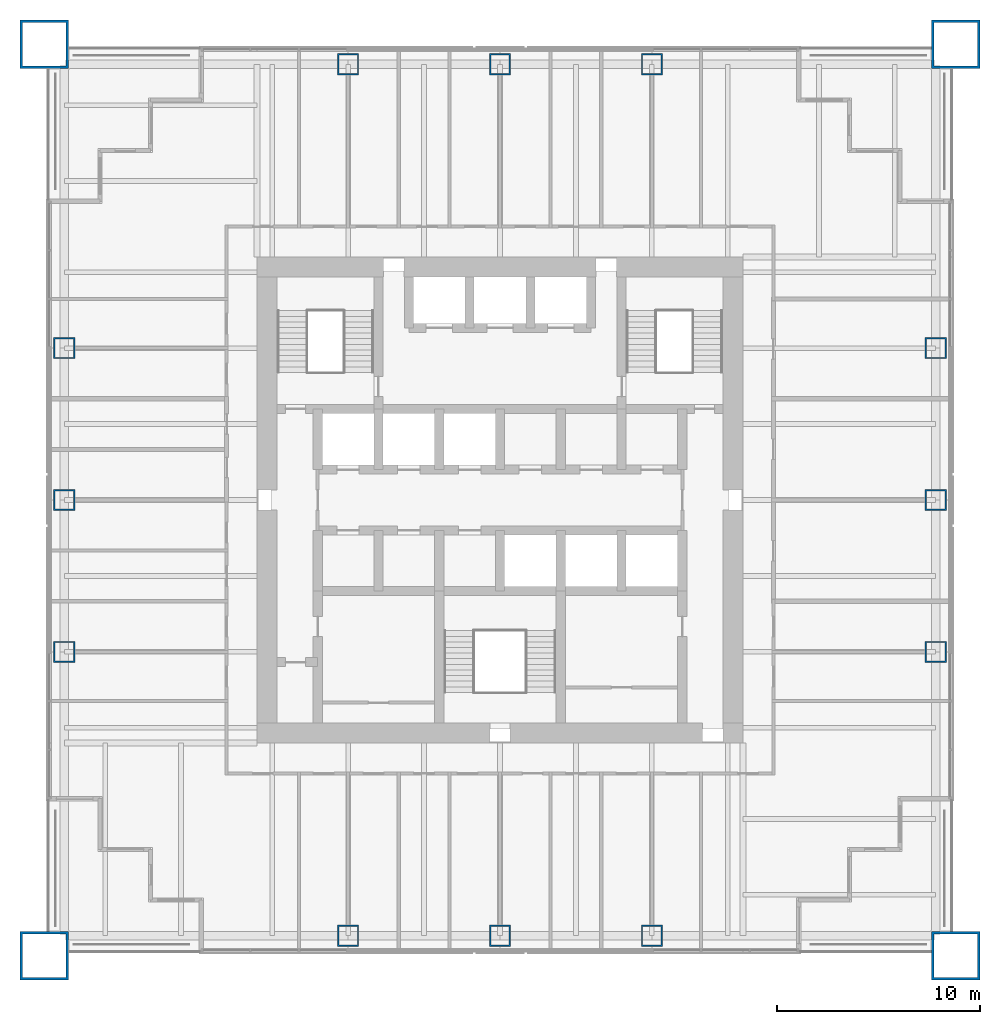
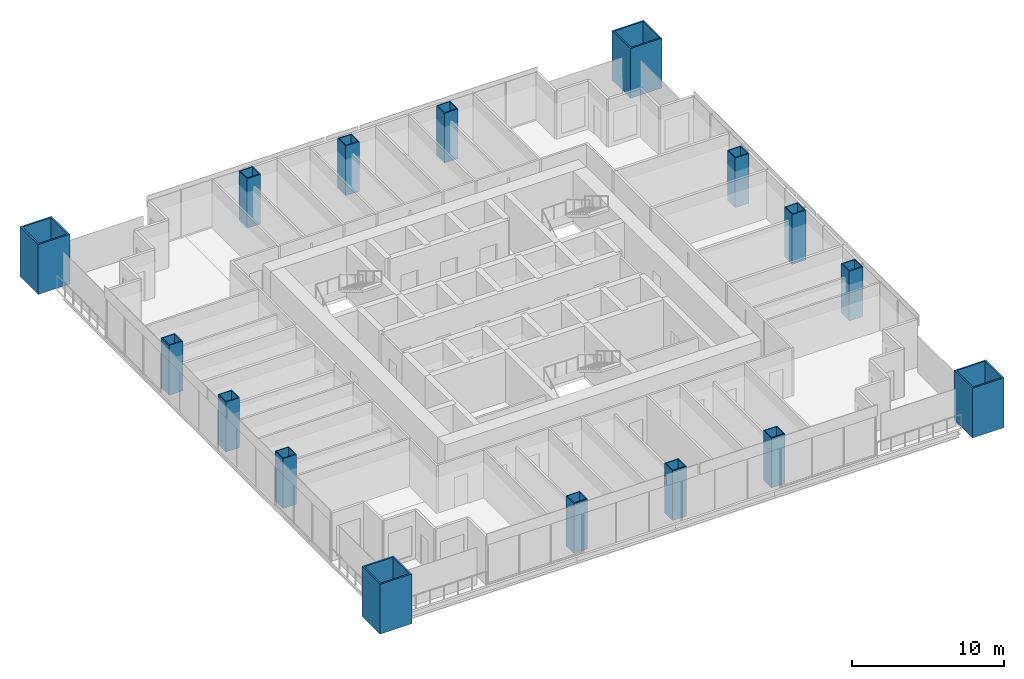
# One storey, part 1 of 14: 16 columns.
"""IFC4 building model written with IfcOpenShell, lengths in metres."""

from ifc_helpers import new_model, si_unit, direction, frame, origin, origin_2d, place, context, subcontext, project, spatial, hollow_rectangle, extrude, material, material_profile, profile_set, type_object, element, save


model = new_model("IFC4")

# Units and contexts
model_context = context("Model", 3, precision=1e-05, world=origin(), true_north=direction((0.0, 1.0)))
body_context = subcontext(model_context, "Body", "Model", "MODEL_VIEW")
ifc_project = project(units=[si_unit("LENGTHUNIT", "METRE"), si_unit("AREAUNIT", "SQUARE_METRE"), si_unit("VOLUMEUNIT", "CUBIC_METRE"), si_unit("PLANEANGLEUNIT", "RADIAN"), si_unit("MASSUNIT", "GRAM", prefix="KILO")], contexts=[model_context])

# Site, building, storey
site_placement = place(None, origin())
site = spatial("IfcSite", under=ifc_project, at=site_placement, CompositionType="ELEMENT")
building_placement = place(site_placement, origin())
building = spatial("IfcBuilding", under=site, at=building_placement, Name="Tarangal Relay Tower", CompositionType="ELEMENT")
storey_placement = place(building_placement, frame((0.0, 0.0, 229.89990234375)))
storey = spatial("IfcBuildingStorey", under=building, at=storey_placement, Name="L49", CompositionType="ELEMENT", Elevation=229.89990234375)

# Columns
ifc_material_1 = material(Name="Steel ASTM A572 Grade 42", Category="steel")
ifc_material_profile_1 = material_profile(ifc_material_1, hollow_rectangle(XDim=2.39990234375, YDim=2.39990234375, WallThickness=0.1201171875, at=origin_2d()), Name="BOX2400X2400X120")
ifc_profile_set_1 = profile_set([ifc_material_profile_1], Name="Steel ASTM A572 Grade 42")
column_type_1 = type_object("IfcColumnType", Name="Mega column BOX2400X2400X120", PredefinedType="COLUMN", material=ifc_profile_set_1)
for number, where, z_axis, x_axis, name in (
    (1, (22.5, 22.5, 0.0), (0.0, 0.0, 1.0), (1.0, 0.0, 0.0), "Mega column MC3 NE L49"),
    (2, (22.5, -22.5, 0.0), (0.0, 0.0, 1.0), (1.0, 0.0, 0.0), "Mega column MC3 SE L49"),
    (3, (-22.5, -22.5, 0.0), (0.0, 0.0, 1.0), (1.0, 0.0, 0.0), "Mega column MC3 SW L49"),
    (4, (-22.5, 22.5, 0.0), (0.0, 0.0, 1.0), (1.0, 0.0, 0.0), "Mega column MC3 NW L49"),
):
    element("IfcColumn", number, at=place(storey_placement, frame(where, z_axis=z_axis, x_axis=x_axis)), inside=storey, type_object=column_type_1, Name=name, PredefinedType="COLUMN", context=body_context, shape_type="SweptSolid", body=[
        extrude(hollow_rectangle(XDim=2.39990234375, YDim=2.39990234375, WallThickness=0.1201171875, at=origin_2d()), origin(), (0.0, 0.0, 1.0), 4.0),
    ])
ifc_material_2 = material(Name="Steel ASTM A572 Grade 50", Category="steel")
ifc_material_profile_2 = material_profile(ifc_material_2, hollow_rectangle(XDim=1.050048828125, YDim=1.050048828125, WallThickness=0.070068359375, at=origin_2d()), Name="BOX1050X1050X70")
ifc_profile_set_2 = profile_set([ifc_material_profile_2], Name="Steel ASTM A572 Grade 50")
column_type_2 = type_object("IfcColumnType", Name="Perimeter column BOX1050X1050X70", PredefinedType="COLUMN", material=ifc_profile_set_2)
for number, where, z_axis, x_axis, name in (
    (5, (-7.5, 21.514892578125, 0.0), (0.0, 0.0, 1.0), (1.0, 0.0, 0.0), "Perimeter column PC4 N L49"),
    (6, (0.0, 21.514892578125, 0.0), (0.0, 0.0, 1.0), (1.0, 0.0, 0.0), "Perimeter column PC4 N L49"),
    (7, (7.5, 21.514892578125, 0.0), (0.0, 0.0, 1.0), (1.0, 0.0, 0.0), "Perimeter column PC4 N L49"),
    (8, (21.514892578125, 7.5, 0.0), (0.0, 0.0, 1.0), (1.0, 0.0, 0.0), "Perimeter column PC4 E L49"),
    (9, (21.514892578125, 0.0, 0.0), (0.0, 0.0, 1.0), (1.0, 0.0, 0.0), "Perimeter column PC4 E L49"),
    (10, (21.514892578125, -7.5, 0.0), (0.0, 0.0, 1.0), (1.0, 0.0, 0.0), "Perimeter column PC4 E L49"),
    (11, (7.5, -21.514892578125, 0.0), (0.0, 0.0, 1.0), (1.0, 0.0, 0.0), "Perimeter column PC4 S L49"),
    (12, (0.0, -21.514892578125, 0.0), (0.0, 0.0, 1.0), (1.0, 0.0, 0.0), "Perimeter column PC4 S L49"),
    (13, (-7.5, -21.514892578125, 0.0), (0.0, 0.0, 1.0), (1.0, 0.0, 0.0), "Perimeter column PC4 S L49"),
    (14, (-21.514892578125, -7.5, 0.0), (0.0, 0.0, 1.0), (1.0, 0.0, 0.0), "Perimeter column PC4 W L49"),
    (15, (-21.514892578125, 0.0, 0.0), (0.0, 0.0, 1.0), (1.0, 0.0, 0.0), "Perimeter column PC4 W L49"),
    (16, (-21.514892578125, 7.5, 0.0), (0.0, 0.0, 1.0), (1.0, 0.0, 0.0), "Perimeter column PC4 W L49"),
):
    element("IfcColumn", number, at=place(storey_placement, frame(where, z_axis=z_axis, x_axis=x_axis)), inside=storey, type_object=column_type_2, Name=name, PredefinedType="COLUMN", context=body_context, shape_type="SweptSolid", body=[
        extrude(hollow_rectangle(XDim=1.050048828125, YDim=1.050048828125, WallThickness=0.070068359375, at=origin_2d()), origin(), (0.0, 0.0, 1.0), 4.0),
    ])

save(model, "model.ifc")
